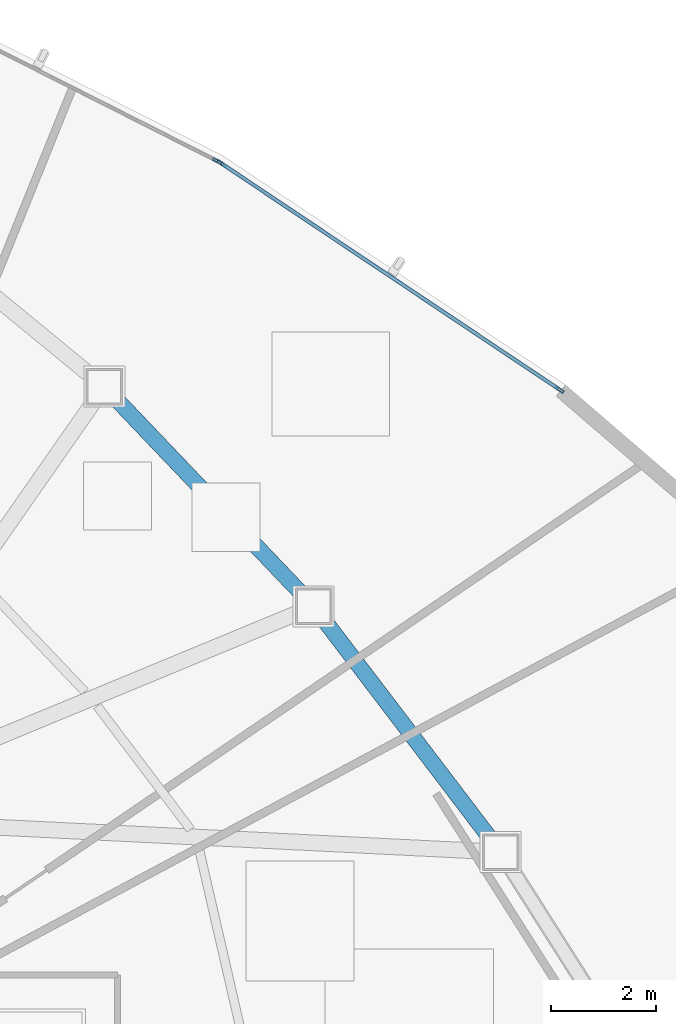
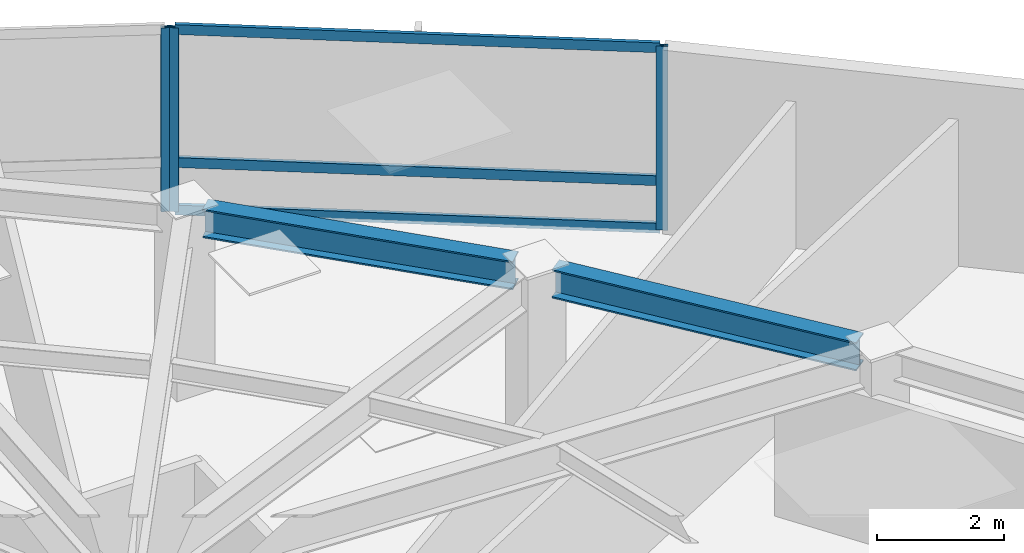
# One storey, part 10 of 18: 6 members, 2 beams, 2 elements without a shape of their own.
"""IFC4 building model written with IfcOpenShell, lengths in metres."""

from ifc_helpers import new_model, si_unit, direction, frame, origin, origin_2d, place, context, subcontext, project, spatial, hollow_rectangle, i_section, extrude, source, transform, mapped, material, layer, layer_set, material_profile, profile_set, type_object, type_shapes, element, aggregate, save


model = new_model("IFC4")

# Units and contexts
model_context = context("Model", 3, precision=1e-05, world=origin(), true_north=direction((0.0, 1.0)))
body_context = subcontext(model_context, "Body", "Model", "MODEL_VIEW")
ifc_project = project(units=[si_unit("LENGTHUNIT", "METRE"), si_unit("AREAUNIT", "SQUARE_METRE"), si_unit("VOLUMEUNIT", "CUBIC_METRE"), si_unit("PLANEANGLEUNIT", "RADIAN"), si_unit("MASSUNIT", "GRAM", prefix="KILO")], contexts=[model_context])

# Site, building, storey
site_placement = place(None, origin())
site = spatial("IfcSite", under=ifc_project, at=site_placement, CompositionType="ELEMENT")
building_placement = place(site_placement, origin())
building = spatial("IfcBuilding", under=site, at=building_placement, Name="Tavelor Broadcast Tower", CompositionType="ELEMENT")
storey_placement = place(building_placement, frame((0.0, 0.0, 157.949951171875)))
storey = spatial("IfcBuildingStorey", under=building, at=storey_placement, Name="L37", CompositionType="ELEMENT", Elevation=157.949951171875)

# Beams
ifc_material_1 = material(Name="Steel S355", Category="steel")
ifc_material_profile_1 = material_profile(ifc_material_1, i_section(OverallWidth=0.300048828125, OverallDepth=0.550048828125, WebThickness=0.014892578125, FlangeThickness=0.029052734375, at=origin_2d()), Name="HEB 550")
ifc_profile_set_1 = profile_set([ifc_material_profile_1], Name="Steel S355")
beam_type = type_object("IfcBeamType", Name="Perimeter Spandrel Beam T3 HEB 550", PredefinedType="SPANDREL", material=ifc_profile_set_1)
beam_1_placement = place(storey_placement, frame((69.6826171875, 50.8115234375, 3.275146484375), z_axis=(-0.605507005058, 0.795839975639, 0.0), x_axis=(-0.795839975639, -0.605507005058, 0.0)))
element("IfcBeam", 1, at=beam_1_placement, inside=storey, type_object=beam_type, Name="L37 Framed-Tube Ring Spandrel 14", PredefinedType="SPANDREL", context=body_context, shape_type="SweptSolid", body=[
    extrude(i_section(OverallWidth=0.300048828125, OverallDepth=0.550048828125, WebThickness=0.014892578125, FlangeThickness=0.029052734375, at=origin_2d()), origin(), (0.0, 0.0, 1.0), 5.214111328125),
])
beam_2_placement = place(storey_placement, frame((66.090087890625, 55.471923828125, 3.275146484375), z_axis=(-0.689928162502, 0.723877842309, 0.0), x_axis=(-0.723877842309, -0.689928162502, 0.0)))
element("IfcBeam", 2, at=beam_2_placement, inside=storey, type_object=beam_type, Name="L37 Framed-Tube Ring Spandrel 15", PredefinedType="SPANDREL", context=body_context, shape_type="SweptSolid", body=[
    extrude(i_section(OverallWidth=0.300048828125, OverallDepth=0.550048828125, WebThickness=0.014892578125, FlangeThickness=0.029052734375, at=origin_2d()), origin(), (0.0, 0.0, 1.0), 5.113037109375),
])

# Curtain wall, members
ifc_material_2 = material(Name="Architectural Anodized Aluminium", Category="aluminium")
ifc_layer = layer(ifc_material_2, 0.18994140625)
ifc_layer_set = layer_set([ifc_layer], Name="Architectural Anodized Aluminium")
curtain_wall_type = type_object("IfcCurtainWallType", Name="Tower Mid-Zone Acoustic Curtain Wall CW03", PredefinedType="NOTDEFINED", material=ifc_layer_set)
curtain_wall_1_placement = place(storey_placement, origin())
curtain_wall_1 = element("IfcCurtainWall", 3, at=curtain_wall_1_placement, inside=storey, type_object=curtain_wall_type, Name="L37 Curtain Wall CW03 Run 393", PredefinedType="NOTDEFINED")
ifc_material_profile_2 = material_profile(ifc_material_2, hollow_rectangle(XDim=0.068115234375, YDim=0.18994140625, WallThickness=0.02197265625, at=origin_2d()), Name="RHS 68x190x22")
ifc_profile_set_2 = profile_set([ifc_material_profile_2], Name="Architectural Anodized Aluminium")
member_type_1 = type_object("IfcMemberType", Name="CW03 Extruded Aluminium Mullion 68x190", PredefinedType="MULLION", material=ifc_profile_set_2)
shared_shape_1 = source(origin(), body_context, "Body", "SweptSolid", [
    extrude(hollow_rectangle(XDim=0.068115234375, YDim=0.18994140625, WallThickness=0.02197265625, at=origin_2d()), origin(), (0.0, 0.0, 1.0), 3.550048828125),
])
type_shapes(member_type_1, [shared_shape_1])
member_1_placement = place(storey_placement, frame((71.009521484375, 59.360107421875, 0.0), z_axis=(0.0, 0.0, 1.0), x_axis=(-0.555944985424, -0.831219088557, 0.0)))
member_1 = element("IfcMember", 4, at=member_1_placement, type_object=member_type_1, Name="CW03 mullion 1", PredefinedType="MULLION", context=body_context, shape_type="MappedRepresentation", body=[
    mapped(shared_shape_1, transform((0.0, 0.0, 0.0), scale=1.0)),
])
member_2_placement = place(storey_placement, frame((64.566162109375, 63.669677734375, 0.0), z_axis=(0.0, 0.0, 1.0), x_axis=(-0.555944985424, -0.831219088557, 0.0)))
member_2 = element("IfcMember", 5, at=member_2_placement, type_object=member_type_1, Name="CW03 mullion 2", PredefinedType="MULLION", context=body_context, shape_type="MappedRepresentation", body=[
    mapped(shared_shape_1, transform((0.0, 0.0, 0.0), scale=1.0)),
])

# Curtain wall, member
curtain_wall_2_placement = place(storey_placement, origin())
curtain_wall_2 = element("IfcCurtainWall", 6, at=curtain_wall_2_placement, inside=storey, type_object=curtain_wall_type, Name="L37 Curtain Wall CW03 Run 394", PredefinedType="NOTDEFINED")
member_3_placement = place(storey_placement, frame((64.48193359375, 63.718994140625, 0.0), z_axis=(0.0, 0.0, 1.0), x_axis=(-0.451247689212, -0.892398746627, 0.0)))
member_3 = element("IfcMember", 7, at=member_3_placement, type_object=member_type_1, Name="CW03 mullion 1", PredefinedType="MULLION", context=body_context, shape_type="MappedRepresentation", body=[
    mapped(shared_shape_1, transform((0.0, 0.0, 0.0), scale=1.0)),
])
aggregate(curtain_wall_2, [member_3])

# Member
ifc_material_profile_3 = material_profile(ifc_material_2, hollow_rectangle(XDim=0.068115234375, YDim=0.18994140625, WallThickness=0.02197265625, at=origin_2d()), Name="RHS 68x190x22")
ifc_profile_set_3 = profile_set([ifc_material_profile_3], Name="Architectural Anodized Aluminium")
member_type_2 = type_object("IfcMemberType", Name="CW03 Extruded Aluminium Transom 68x190", PredefinedType="USERDEFINED", material=ifc_profile_set_3)
shared_shape_2 = source(origin(), body_context, "Body", "SweptSolid", [
    extrude(hollow_rectangle(XDim=0.068115234375, YDim=0.18994140625, WallThickness=0.02197265625, at=origin_2d()), origin(), (0.0, 0.0, 1.0), 7.68359375),
])
type_shapes(member_type_2, [shared_shape_2])
member_4_placement = place(storey_placement, frame((70.981201171875, 59.379150390625, 0.033935546875), z_axis=(-0.831228126675, 0.555931471877, 0.0), x_axis=(-0.555931471877, -0.831228126675, 0.0)))
member_4 = element("IfcMember", 8, at=member_4_placement, type_object=member_type_2, Name="CW03 transom 1.1", ObjectType="TRANSOM", PredefinedType="USERDEFINED", context=body_context, shape_type="MappedRepresentation", body=[
    mapped(shared_shape_2, transform((0.0, 0.0, 0.0), scale=1.0)),
])

member_5_placement = place(storey_placement, frame((70.981201171875, 59.379150390625, 0.949951171875), z_axis=(-0.831228126675, 0.555931471877, 0.0), x_axis=(-0.555931471877, -0.831228126675, 0.0)))
member_5 = element("IfcMember", 9, at=member_5_placement, type_object=member_type_2, Name="CW03 transom 1.2", ObjectType="TRANSOM", PredefinedType="USERDEFINED", context=body_context, shape_type="MappedRepresentation", body=[
    mapped(shared_shape_2, transform((0.0, 0.0, 0.0), scale=1.0)),
])

member_6_placement = place(storey_placement, frame((70.981201171875, 59.379150390625, 3.51611328125), z_axis=(-0.831228126675, 0.555931471877, 0.0), x_axis=(-0.555931471877, -0.831228126675, 0.0)))
member_6 = element("IfcMember", 10, at=member_6_placement, type_object=member_type_2, Name="CW03 transom 1.3", ObjectType="TRANSOM", PredefinedType="USERDEFINED", context=body_context, shape_type="MappedRepresentation", body=[
    mapped(shared_shape_2, transform((0.0, 0.0, 0.0), scale=1.0)),
])

aggregate(curtain_wall_1, [member_1, member_2, member_4, member_5, member_6])

save(model, "model.ifc")
